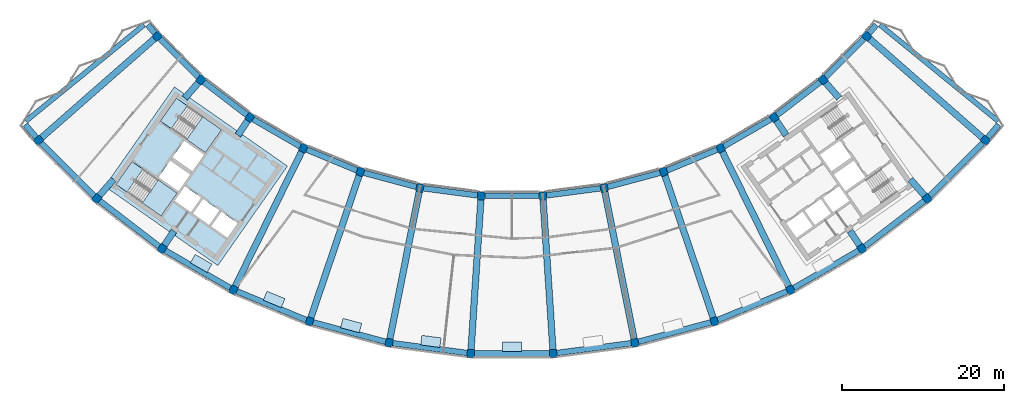
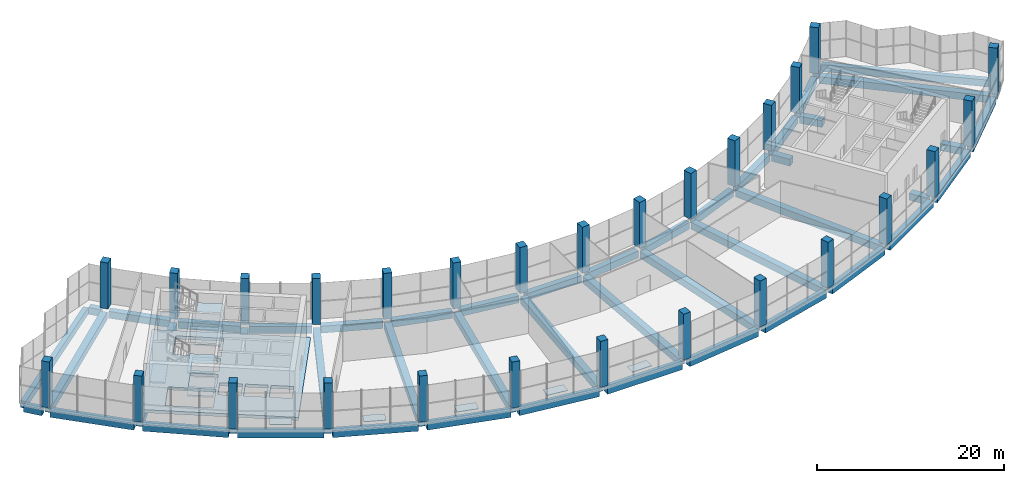
# One storey, part 1 of 41: 50 beams, 28 columns, 7 slabs, 5 plates, 2 elements without a shape of their own.
"""IFC4 building model written with IfcOpenShell, lengths in metres."""

from ifc_helpers import new_model, si_unit, direction, frame, origin, origin_2d, place, context, subcontext, project, spatial, polyline, rectangle, outline, extrude, material, layer, layer_set, material_profile, profile_set, type_object, element, aggregate, save


model = new_model("IFC4")

# Units and contexts
model_context = context("Model", 3, precision=1e-05, world=origin(), true_north=direction((0.0, 1.0)))
body_context = subcontext(model_context, "Body", "Model", "MODEL_VIEW")
ifc_project = project(units=[si_unit("LENGTHUNIT", "METRE"), si_unit("AREAUNIT", "SQUARE_METRE"), si_unit("VOLUMEUNIT", "CUBIC_METRE"), si_unit("PLANEANGLEUNIT", "RADIAN"), si_unit("MASSUNIT", "GRAM", prefix="KILO")], contexts=[model_context])

# Site, building, storey
site_placement = place(None, origin())
site = spatial("IfcSite", under=ifc_project, at=site_placement, CompositionType="ELEMENT")
building_placement = place(site_placement, origin())
building = spatial("IfcBuilding", under=site, at=building_placement, Name="Qamariyya Broadcast Tower", CompositionType="ELEMENT")
storey_placement = place(building_placement, frame((0.0, 0.0, 284.699951171875)))
storey = spatial("IfcBuildingStorey", under=building, at=storey_placement, Name="L69", CompositionType="ELEMENT", Elevation=284.699951171875)

# Columns
ifc_material_1 = material(Name="Concrete C50/60", Category="concrete")
ifc_material_profile_1 = material_profile(ifc_material_1, rectangle(XDim=0.89990234375, YDim=1.0, at=origin_2d()))
ifc_profile_set_1 = profile_set([ifc_material_profile_1], Name="Concrete C50/60")
column_type = type_object("IfcColumnType", Name="RC column 900 x 1000 C50/60", PredefinedType="COLUMN", material=ifc_profile_set_1)
for number, where, z_axis, x_axis, name in (
    (1, (-43.794677734375, -38.406982421875, 0.0), (0.0, 0.0, 1.0), (0.6593458151, -0.751839807479, 0.0), "Column C12 L69 B-R04"),
    (2, (-58.45556640625, -51.26416015625, 0.0), (0.0, 0.0, 1.0), (0.6593458151, -0.751839807479, 0.0), "Column C12 L69 C-R04"),
    (3, (-38.406982421875, -43.794677734375, 0.0), (0.0, 0.0, 1.0), (0.751839807479, -0.6593458151, 0.0), "Column C12 L69 B-R05"),
    (4, (-51.26416015625, -58.45556640625, 0.0), (0.0, 0.0, 1.0), (0.751839807479, -0.6593458151, 0.0), "Column C12 L69 C-R05"),
    (5, (-32.362060546875, -48.43310546875, 0.0), (0.0, 0.0, 1.0), (0.831469612303, -0.55557023302, 0.0), "Column C12 L69 B-R06"),
    (6, (-43.195556640625, -64.646728515625, 0.0), (0.0, 0.0, 1.0), (0.831469612303, -0.55557023302, 0.0), "Column C12 L69 C-R06"),
    (7, (-25.763427734375, -52.242919921875, 0.0), (0.0, 0.0, 1.0), (0.896872741533, -0.442288690219, 0.0), "Column C12 L69 B-R07"),
    (8, (-34.387939453125, -69.73193359375, 0.0), (0.0, 0.0, 1.0), (0.896872741533, -0.442288690219, 0.0), "Column C12 L69 C-R07"),
    (9, (-18.723876953125, -55.15869140625, 0.0), (0.0, 0.0, 1.0), (0.946930129495, -0.321439465303, 0.0), "Column C12 L69 B-R08"),
    (10, (-24.991943359375, -73.623779296875, 0.0), (0.0, 0.0, 1.0), (0.946930129495, -0.321439465303, 0.0), "Column C12 L69 C-R08"),
    (11, (-11.364013671875, -57.130859375, 0.0), (0.0, 0.0, 1.0), (0.980785280403, -0.195090322016, 0.0), "Column C12 L69 B-R09"),
    (12, (-15.168212890625, -76.256103515625, 0.0), (0.0, 0.0, 1.0), (0.980785280403, -0.195090322016, 0.0), "Column C12 L69 C-R09"),
    (13, (-3.809814453125, -58.125244140625, 0.0), (0.0, 0.0, 1.0), (0.997858923239, -0.06540312923, 0.0), "Column C12 L69 B-R10"),
    (14, (-5.085205078125, -77.58349609375, 0.0), (0.0, 0.0, 1.0), (0.997858923239, -0.06540312923, 0.0), "Column C12 L69 C-R10"),
    (15, (3.809814453125, -58.125244140625, 0.0), (0.0, 0.0, 1.0), (0.997858923239, 0.06540312923, 0.0), "Column C12 L69 B-R11"),
    (16, (5.085205078125, -77.58349609375, 0.0), (0.0, 0.0, 1.0), (0.997858923239, 0.06540312923, 0.0), "Column C12 L69 C-R11"),
    (17, (11.364013671875, -57.130859375, 0.0), (0.0, 0.0, 1.0), (0.980785280403, 0.195090322016, 0.0), "Column C12 L69 B-R12"),
    (18, (15.168212890625, -76.256103515625, 0.0), (0.0, 0.0, 1.0), (0.980785280403, 0.195090322016, 0.0), "Column C12 L69 C-R12"),
    (19, (18.723876953125, -55.15869140625, 0.0), (0.0, 0.0, 1.0), (0.946930129495, 0.321439465303, 0.0), "Column C12 L69 B-R13"),
    (20, (24.991943359375, -73.623779296875, 0.0), (0.0, 0.0, 1.0), (0.946930129495, 0.321439465303, 0.0), "Column C12 L69 C-R13"),
    (21, (25.763427734375, -52.242919921875, 0.0), (0.0, 0.0, 1.0), (0.896872741533, 0.442288690219, 0.0), "Column C12 L69 B-R14"),
    (22, (34.387939453125, -69.73193359375, 0.0), (0.0, 0.0, 1.0), (0.896872741533, 0.442288690219, 0.0), "Column C12 L69 C-R14"),
    (23, (32.362060546875, -48.43310546875, 0.0), (0.0, 0.0, 1.0), (0.831469612303, 0.55557023302, 0.0), "Column C12 L69 B-R15"),
    (24, (43.195556640625, -64.646728515625, 0.0), (0.0, 0.0, 1.0), (0.831469612303, 0.55557023302, 0.0), "Column C12 L69 C-R15"),
    (25, (38.406982421875, -43.794677734375, 0.0), (0.0, 0.0, 1.0), (0.751839807479, 0.6593458151, 0.0), "Column C12 L69 B-R16"),
    (26, (51.26416015625, -58.45556640625, 0.0), (0.0, 0.0, 1.0), (0.751839807479, 0.6593458151, 0.0), "Column C12 L69 C-R16"),
    (27, (43.794677734375, -38.406982421875, 0.0), (0.0, 0.0, 1.0), (0.6593458151, 0.751839807479, 0.0), "Column C12 L69 B-R17"),
    (28, (58.45556640625, -51.26416015625, 0.0), (0.0, 0.0, 1.0), (0.6593458151, 0.751839807479, 0.0), "Column C12 L69 C-R17"),
):
    element("IfcColumn", number, at=place(storey_placement, frame(where, z_axis=z_axis, x_axis=x_axis)), inside=storey, type_object=column_type, Name=name, PredefinedType="COLUMN", context=body_context, shape_type="SweptSolid", body=[
        extrude(rectangle(XDim=0.89990234375, YDim=1.0, at=origin_2d()), origin(), (0.0, 0.0, 1.0), 6.0),
    ])

# Beams
ifc_material_2 = material(Name="Concrete C40/50", Category="concrete")
ifc_material_profile_2 = material_profile(ifc_material_2, rectangle(XDim=0.699951171875, YDim=0.89990234375, at=origin_2d()))
ifc_profile_set_2 = profile_set([ifc_material_profile_2], Name="Concrete C40/50")
beam_type_1 = type_object("IfcBeamType", Name="RC edge beam 700 x 900 C40/50", PredefinedType="SPANDREL", material=ifc_profile_set_2)
for number, where, z_axis, x_axis, name in (
    (29, (-43.475830078125, -38.725830078125, -0.849853515625), (0.707106781187, -0.707106781187, 0.0), (0.707106781187, 0.707106781187, 0.0), "Edge beam B28 L69 B R04-R05"),
    (30, (-38.049072265625, -44.069091796875, -0.849853515625), (0.793335450892, -0.608784742219, 0.0), (0.608784742219, 0.793335450892, 0.0), "Edge beam B28 L69 B R05-R06"),
    (31, (-31.971435546875, -48.65869140625, -0.849853515625), (0.866036098112, -0.499981476425, 0.0), (0.499981476425, 0.866036098112, 0.0), "Edge beam B28 L69 B R06-R07"),
    (32, (-25.3466796875, -52.41552734375, -0.849853515625), (0.923888821942, -0.382661004926, 0.0), (0.382661004926, 0.923888821942, 0.0), "Edge beam B28 L69 B R07-R08"),
    (33, (-18.288330078125, -55.275390625, -0.849853515625), (0.965930856343, -0.258800271955, 0.0), (0.258800271955, 0.965930856343, 0.0), "Edge beam B28 L69 B R08-R09"),
    (34, (-10.9169921875, -57.189697265625, -0.849853515625), (0.991447119382, -0.130509039798, 0.0), (0.130509039798, 0.991447119382, 0.0), "Edge beam B28 L69 B R09-R10"),
):
    element("IfcBeam", number, at=place(storey_placement, frame(where, z_axis=z_axis, x_axis=x_axis)), inside=storey, type_object=beam_type_1, Name=name, PredefinedType="SPANDREL", context=body_context, shape_type="SweptSolid", body=[
        extrude(rectangle(XDim=0.699951171875, YDim=0.89990234375, at=origin_2d()), origin(), (0.0, 0.0, 1.0), 6.717529296875),
    ])
beam_1_placement = place(storey_placement, frame((-3.35888671875, -58.125244140625, -0.849853515625), z_axis=(1.0, 0.0, 0.0), x_axis=(0.0, 1.0, 0.0)))
element("IfcBeam", 35, at=beam_1_placement, inside=storey, type_object=beam_type_1, Name="Edge beam B28 L69 B R10-R11", PredefinedType="SPANDREL", context=body_context, shape_type="SweptSolid", body=[
    extrude(rectangle(XDim=0.699951171875, YDim=0.89990234375, at=origin_2d()), origin(), (0.0, 0.0, 1.0), 6.7177734375),
])
for number, where, z_axis, x_axis, name in (
    (36, (4.2568359375, -58.06640625, -0.849853515625), (0.991447119382, 0.130509039798, 0.0), (-0.130509039798, 0.991447119382, 0.0), "Edge beam B28 L69 B R11-R12"),
    (37, (11.799560546875, -57.013916015625, -0.849853515625), (0.965930856343, 0.258800271955, 0.0), (-0.258800271955, 0.965930856343, 0.0), "Edge beam B28 L69 B R12-R13"),
    (38, (19.140380859375, -54.986083984375, -0.849853515625), (0.923888821942, 0.382661004926, 0.0), (-0.382661004926, 0.923888821942, 0.0), "Edge beam B28 L69 B R13-R14"),
    (39, (26.15380859375, -52.017333984375, -0.849853515625), (0.866036098112, 0.499981476425, 0.0), (-0.499981476425, 0.866036098112, 0.0), "Edge beam B28 L69 B R14-R15"),
    (40, (32.7197265625, -48.15869140625, -0.849853515625), (0.793335450892, 0.608784742219, 0.0), (-0.608784742219, 0.793335450892, 0.0), "Edge beam B28 L69 B R15-R16"),
    (41, (38.725830078125, -43.475830078125, -0.849853515625), (0.707106781187, 0.707106781187, 0.0), (-0.707106781187, 0.707106781187, 0.0), "Edge beam B28 L69 B R16-R17"),
):
    element("IfcBeam", number, at=place(storey_placement, frame(where, z_axis=z_axis, x_axis=x_axis)), inside=storey, type_object=beam_type_1, Name=name, PredefinedType="SPANDREL", context=body_context, shape_type="SweptSolid", body=[
        extrude(rectangle(XDim=0.699951171875, YDim=0.89990234375, at=origin_2d()), origin(), (0.0, 0.0, 1.0), 6.717529296875),
    ])
for number, where, z_axis, x_axis, name in (
    (42, (-58.13671875, -51.5830078125, -0.849853515625), (0.707106781187, -0.707106781187, 0.0), (0.707106781187, 0.707106781187, 0.0), "Edge beam B28 L69 C R04-R05"),
    (43, (-50.90625, -58.72998046875, -0.849853515625), (0.793335362304, -0.608784857662, 0.0), (0.608784857662, 0.793335362304, 0.0), "Edge beam B28 L69 C R05-R06"),
):
    element("IfcBeam", number, at=place(storey_placement, frame(where, z_axis=z_axis, x_axis=x_axis)), inside=storey, type_object=beam_type_1, Name=name, PredefinedType="SPANDREL", context=body_context, shape_type="SweptSolid", body=[
        extrude(rectangle(XDim=0.699951171875, YDim=0.89990234375, at=origin_2d()), origin(), (0.0, 0.0, 1.0), 9.268310546875),
    ])
for number, where, z_axis, x_axis, name in (
    (44, (-42.804931640625, -64.872314453125, -0.849853515625), (0.866025032501, -0.50000064308, 0.0), (0.50000064308, 0.866025032501, 0.0), "Edge beam B28 L69 C R06-R07"),
    (45, (-33.97119140625, -69.904541015625, -0.849853515625), (0.923886165939, -0.382667417461, 0.0), (0.382667417461, 0.923886165939, 0.0), "Edge beam B28 L69 C R07-R08"),
):
    element("IfcBeam", number, at=place(storey_placement, frame(where, z_axis=z_axis, x_axis=x_axis)), inside=storey, type_object=beam_type_1, Name=name, PredefinedType="SPANDREL", context=body_context, shape_type="SweptSolid", body=[
        extrude(rectangle(XDim=0.699951171875, YDim=0.89990234375, at=origin_2d()), origin(), (0.0, 0.0, 1.0), 9.26806640625),
    ])
beam_2_placement = place(storey_placement, frame((-24.556396484375, -73.740478515625, -0.849853515625), z_axis=(0.965923830183, -0.258826494556, 0.0), x_axis=(0.258826494556, 0.965923830183, 0.0)))
element("IfcBeam", 46, at=beam_2_placement, inside=storey, type_object=beam_type_1, Name="Edge beam B28 L69 C R08-R09", PredefinedType="SPANDREL", context=body_context, shape_type="SweptSolid", body=[
    extrude(rectangle(XDim=0.699951171875, YDim=0.89990234375, at=origin_2d()), origin(), (0.0, 0.0, 1.0), 9.2685546875),
])
beam_3_placement = place(storey_placement, frame((-14.72119140625, -76.31494140625, -0.849853515625), z_axis=(0.991445327372, -0.130522652562, 0.0), x_axis=(0.130522652562, 0.991445327372, 0.0)))
element("IfcBeam", 47, at=beam_3_placement, inside=storey, type_object=beam_type_1, Name="Edge beam B28 L69 C R09-R10", PredefinedType="SPANDREL", context=body_context, shape_type="SweptSolid", body=[
    extrude(rectangle(XDim=0.699951171875, YDim=0.89990234375, at=origin_2d()), origin(), (0.0, 0.0, 1.0), 9.268310546875),
])
beam_4_placement = place(storey_placement, frame((-4.634033203125, -77.58349609375, -0.849853515625), z_axis=(1.0, 0.0, 0.0), x_axis=(0.0, 1.0, 0.0)))
element("IfcBeam", 48, at=beam_4_placement, inside=storey, type_object=beam_type_1, Name="Edge beam B28 L69 C R10-R11", PredefinedType="SPANDREL", context=body_context, shape_type="SweptSolid", body=[
    extrude(rectangle(XDim=0.699951171875, YDim=0.89990234375, at=origin_2d()), origin(), (0.0, 0.0, 1.0), 9.26806640625),
])
beam_5_placement = place(storey_placement, frame((5.5322265625, -77.524658203125, -0.849853515625), z_axis=(0.991445327372, 0.130522652562, 0.0), x_axis=(-0.130522652562, 0.991445327372, 0.0)))
element("IfcBeam", 49, at=beam_5_placement, inside=storey, type_object=beam_type_1, Name="Edge beam B28 L69 C R11-R12", PredefinedType="SPANDREL", context=body_context, shape_type="SweptSolid", body=[
    extrude(rectangle(XDim=0.699951171875, YDim=0.89990234375, at=origin_2d()), origin(), (0.0, 0.0, 1.0), 9.268310546875),
])
beam_6_placement = place(storey_placement, frame((15.603759765625, -76.139404296875, -0.849853515625), z_axis=(0.965923830183, 0.258826494556, 0.0), x_axis=(-0.258826494556, 0.965923830183, 0.0)))
element("IfcBeam", 50, at=beam_6_placement, inside=storey, type_object=beam_type_1, Name="Edge beam B28 L69 C R12-R13", PredefinedType="SPANDREL", context=body_context, shape_type="SweptSolid", body=[
    extrude(rectangle(XDim=0.699951171875, YDim=0.89990234375, at=origin_2d()), origin(), (0.0, 0.0, 1.0), 9.2685546875),
])
for number, where, z_axis, x_axis, name in (
    (51, (25.408447265625, -73.451171875, -0.849853515625), (0.923886165939, 0.382667417461, 0.0), (-0.382667417461, 0.923886165939, 0.0), "Edge beam B28 L69 C R13-R14"),
    (52, (34.778564453125, -69.50634765625, -0.849853515625), (0.866025032501, 0.50000064308, 0.0), (-0.50000064308, 0.866025032501, 0.0), "Edge beam B28 L69 C R14-R15"),
):
    element("IfcBeam", number, at=place(storey_placement, frame(where, z_axis=z_axis, x_axis=x_axis)), inside=storey, type_object=beam_type_1, Name=name, PredefinedType="SPANDREL", context=body_context, shape_type="SweptSolid", body=[
        extrude(rectangle(XDim=0.699951171875, YDim=0.89990234375, at=origin_2d()), origin(), (0.0, 0.0, 1.0), 9.26806640625),
    ])
for number, where, z_axis, x_axis, name in (
    (53, (43.553466796875, -64.372314453125, -0.849853515625), (0.793335362304, 0.608784857662, 0.0), (-0.608784857662, 0.793335362304, 0.0), "Edge beam B28 L69 C R15-R16"),
    (54, (51.5830078125, -58.13671875, -0.849853515625), (0.707106781187, 0.707106781187, 0.0), (-0.707106781187, 0.707106781187, 0.0), "Edge beam B28 L69 C R16-R17"),
):
    element("IfcBeam", number, at=place(storey_placement, frame(where, z_axis=z_axis, x_axis=x_axis)), inside=storey, type_object=beam_type_1, Name=name, PredefinedType="SPANDREL", context=body_context, shape_type="SweptSolid", body=[
        extrude(rectangle(XDim=0.699951171875, YDim=0.89990234375, at=origin_2d()), origin(), (0.0, 0.0, 1.0), 9.268310546875),
    ])
ifc_material_profile_3 = material_profile(ifc_material_2, rectangle(XDim=0.699951171875, YDim=0.89990234375, at=origin_2d()))
ifc_profile_set_3 = profile_set([ifc_material_profile_3], Name="Concrete C40/50")
beam_type_2 = type_object("IfcBeamType", Name="RC horn beam 700 x 900 C40/50", PredefinedType="BEAM", material=ifc_profile_set_3)
beam_7_placement = place(storey_placement, frame((-44.085205078125, -38.063232421875, -0.849853515625), z_axis=(-0.645622475377, 0.763656741795, 0.0), x_axis=(-0.763656741795, -0.645622475377, 0.0)))
element("IfcBeam", 55, at=beam_7_placement, inside=storey, type_object=beam_type_2, Name="Horn beam B29 L69 W B-R04", PredefinedType="BEAM", context=body_context, shape_type="SweptSolid", body=[
    extrude(rectangle(XDim=0.699951171875, YDim=0.89990234375, at=origin_2d()), origin(), (0.0, 0.0, 1.0), 1.369384765625),
])
beam_8_placement = place(storey_placement, frame((-58.74609375, -50.92041015625, -0.849853515625), z_axis=(-0.645563116795, 0.763706921688, 0.0), x_axis=(-0.763706921688, -0.645563116795, 0.0)))
element("IfcBeam", 56, at=beam_8_placement, inside=storey, type_object=beam_type_2, Name="Horn beam B29 L69 W C-R04", PredefinedType="BEAM", context=body_context, shape_type="SweptSolid", body=[
    extrude(rectangle(XDim=0.699951171875, YDim=0.89990234375, at=origin_2d()), origin(), (0.0, 0.0, 1.0), 2.078857421875),
])
beam_9_placement = place(storey_placement, frame((44.085205078125, -38.063232421875, -0.849853515625), z_axis=(0.645622475377, 0.763656741795, 0.0), x_axis=(-0.763656741795, 0.645622475377, 0.0)))
element("IfcBeam", 57, at=beam_9_placement, inside=storey, type_object=beam_type_2, Name="Horn beam B29 L69 E B-R17", PredefinedType="BEAM", context=body_context, shape_type="SweptSolid", body=[
    extrude(rectangle(XDim=0.699951171875, YDim=0.89990234375, at=origin_2d()), origin(), (0.0, 0.0, 1.0), 1.369384765625),
])
beam_10_placement = place(storey_placement, frame((58.74609375, -50.92041015625, -0.849853515625), z_axis=(0.645563116795, 0.763706921688, 0.0), x_axis=(-0.763706921688, 0.645563116795, 0.0)))
element("IfcBeam", 58, at=beam_10_placement, inside=storey, type_object=beam_type_2, Name="Horn beam B29 L69 E C-R17", PredefinedType="BEAM", context=body_context, shape_type="SweptSolid", body=[
    extrude(rectangle(XDim=0.699951171875, YDim=0.89990234375, at=origin_2d()), origin(), (0.0, 0.0, 1.0), 2.078857421875),
])
ifc_material_profile_4 = material_profile(ifc_material_2, rectangle(XDim=0.60009765625, YDim=0.89990234375, at=origin_2d()))
ifc_profile_set_4 = profile_set([ifc_material_profile_4], Name="Concrete C40/50")
beam_type_3 = type_object("IfcBeamType", Name="RC horn cap beam 600 x 900 C40/50", PredefinedType="BEAM", material=ifc_profile_set_4)
for number, where, z_axis, x_axis, name in (
    (59, (-45.43408203125, -37.00927734375, -0.849853515625), (-0.775322123115, -0.631565994499, 0.0), (0.631565994499, -0.775322123115, 0.0), "Horn cap beam B30 L69 W B-C"),
    (60, (45.43408203125, -37.00927734375, -0.849853515625), (0.775322123115, -0.631565994499, 0.0), (0.631565994499, 0.775322123115, 0.0), "Horn cap beam B30 L69 E B-C"),
):
    element("IfcBeam", number, at=place(storey_placement, frame(where, z_axis=z_axis, x_axis=x_axis)), inside=storey, type_object=beam_type_3, Name=name, PredefinedType="BEAM", context=body_context, shape_type="SweptSolid", body=[
        extrude(rectangle(XDim=0.60009765625, YDim=0.89990234375, at=origin_2d()), origin(), (0.0, 0.0, 1.0), 18.800048828125),
    ])
ifc_material_profile_5 = material_profile(ifc_material_2, rectangle(XDim=0.800048828125, YDim=0.89990234375, at=origin_2d()))
ifc_profile_set_5 = profile_set([ifc_material_profile_5], Name="Concrete C40/50")
beam_type_4 = type_object("IfcBeamType", Name="RC radial beam 800 x 900 C40/50", PredefinedType="BEAM", material=ifc_profile_set_5)
beam_11_placement = place(storey_placement, frame((-44.170654296875, -38.736572265625, -0.849853515625), z_axis=(-0.751834744467, -0.659351588314, 0.0), x_axis=(0.659351588314, -0.751834744467, 0.0)))
element("IfcBeam", 61, at=beam_11_placement, inside=storey, type_object=beam_type_4, Name="Radial beam B27 L69 R04 B-C", PredefinedType="BEAM", context=body_context, shape_type="SweptSolid", body=[
    extrude(rectangle(XDim=0.800048828125, YDim=0.89990234375, at=origin_2d()), origin(), (0.0, 0.0, 1.0), 18.5),
])
beam_12_placement = place(storey_placement, frame((-38.736572265625, -44.170654296875, -0.849853515625), z_axis=(-0.659370418704, -0.751818229986, 0.0), x_axis=(0.751818229986, -0.659370418704, 0.0)))
element("IfcBeam", 62, at=beam_12_placement, inside=storey, type_object=beam_type_4, Name="Radial beam B27 L69 R05 B-C", PredefinedType="BEAM", context=body_context, shape_type="SweptSolid", body=[
    extrude(rectangle(XDim=0.800048828125, YDim=0.89990234375, at=origin_2d()), origin(), (0.0, 0.0, 1.0), 2.51416015625),
])
beam_13_placement = place(storey_placement, frame((-49.1943359375, -56.095458984375, -0.849853515625), z_axis=(-0.659388288985, -0.751802556759, 0.0), x_axis=(0.751802556759, -0.659388288985, 0.0)))
element("IfcBeam", 63, at=beam_13_placement, inside=storey, type_object=beam_type_4, Name="Radial beam B27 L69 R05 B-C", PredefinedType="BEAM", context=body_context, shape_type="SweptSolid", body=[
    extrude(rectangle(XDim=0.800048828125, YDim=0.89990234375, at=origin_2d()), origin(), (0.0, 0.0, 1.0), 2.63916015625),
])
beam_14_placement = place(storey_placement, frame((-32.6396484375, -48.848876953125, -0.849853515625), z_axis=(-0.555636925355, -0.83142504604, 0.0), x_axis=(0.83142504604, -0.555636925355, 0.0)))
element("IfcBeam", 64, at=beam_14_placement, inside=storey, type_object=beam_type_4, Name="Radial beam B27 L69 R06 B-C", PredefinedType="BEAM", context=body_context, shape_type="SweptSolid", body=[
    extrude(rectangle(XDim=0.800048828125, YDim=0.89990234375, at=origin_2d()), origin(), (0.0, 0.0, 1.0), 2.16455078125),
])
beam_15_placement = place(storey_placement, frame((-41.733154296875, -62.458251953125, -0.849853515625), z_axis=(-0.555598329138, -0.83145083839, 0.0), x_axis=(0.83145083839, -0.555598329138, 0.0)))
element("IfcBeam", 65, at=beam_15_placement, inside=storey, type_object=beam_type_4, Name="Radial beam B27 L69 R06 B-C", PredefinedType="BEAM", context=body_context, shape_type="SweptSolid", body=[
    extrude(rectangle(XDim=0.800048828125, YDim=0.89990234375, at=origin_2d()), origin(), (0.0, 0.0, 1.0), 2.132080078125),
])
for number, where, z_axis, x_axis, name in (
    (66, (-25.984375, -52.691162109375, -0.849853515625), (-0.442287103846, -0.896873523843, 0.0), (0.896873523843, -0.442287103846, 0.0), "Radial beam B27 L69 R07 B-C"),
    (67, (-18.884521484375, -55.632080078125, -0.849853515625), (-0.321444904473, -0.946928283128, 0.0), (0.946928283128, -0.321444904473, 0.0), "Radial beam B27 L69 R08 B-C"),
):
    element("IfcBeam", number, at=place(storey_placement, frame(where, z_axis=z_axis, x_axis=x_axis)), inside=storey, type_object=beam_type_4, Name=name, PredefinedType="BEAM", context=body_context, shape_type="SweptSolid", body=[
        extrude(rectangle(XDim=0.800048828125, YDim=0.89990234375, at=origin_2d()), origin(), (0.0, 0.0, 1.0), 18.500244140625),
    ])
for number, where, z_axis, x_axis, name in (
    (68, (-11.461669921875, -57.62109375, -0.849853515625), (-0.195088200207, -0.980785702455, 0.0), (0.980785702455, -0.195088200207, 0.0), "Radial beam B27 L69 R09 B-C"),
    (69, (-3.842529296875, -58.624267578125, -0.849853515625), (-0.065403084588, -0.997858926165, 0.0), (0.997858926165, -0.065403084588, 0.0), "Radial beam B27 L69 R10 B-C"),
    (70, (3.842529296875, -58.624267578125, -0.849853515625), (0.065403084588, -0.997858926165, 0.0), (0.997858926165, 0.065403084588, 0.0), "Radial beam B27 L69 R11 B-C"),
    (71, (11.461669921875, -57.62109375, -0.849853515625), (0.195088200207, -0.980785702455, 0.0), (0.980785702455, 0.195088200207, 0.0), "Radial beam B27 L69 R12 B-C"),
):
    element("IfcBeam", number, at=place(storey_placement, frame(where, z_axis=z_axis, x_axis=x_axis)), inside=storey, type_object=beam_type_4, Name=name, PredefinedType="BEAM", context=body_context, shape_type="SweptSolid", body=[
        extrude(rectangle(XDim=0.800048828125, YDim=0.89990234375, at=origin_2d()), origin(), (0.0, 0.0, 1.0), 18.5),
    ])
for number, where, z_axis, x_axis, name in (
    (72, (18.884521484375, -55.632080078125, -0.849853515625), (0.321444904473, -0.946928283128, 0.0), (0.946928283128, 0.321444904473, 0.0), "Radial beam B27 L69 R13 B-C"),
    (73, (25.984375, -52.691162109375, -0.849853515625), (0.442287103846, -0.896873523843, 0.0), (0.896873523843, 0.442287103846, 0.0), "Radial beam B27 L69 R14 B-C"),
):
    element("IfcBeam", number, at=place(storey_placement, frame(where, z_axis=z_axis, x_axis=x_axis)), inside=storey, type_object=beam_type_4, Name=name, PredefinedType="BEAM", context=body_context, shape_type="SweptSolid", body=[
        extrude(rectangle(XDim=0.800048828125, YDim=0.89990234375, at=origin_2d()), origin(), (0.0, 0.0, 1.0), 18.500244140625),
    ])
beam_16_placement = place(storey_placement, frame((32.6396484375, -48.848876953125, -0.849853515625), z_axis=(0.555636925355, -0.83142504604, 0.0), x_axis=(0.83142504604, 0.555636925355, 0.0)))
element("IfcBeam", 74, at=beam_16_placement, inside=storey, type_object=beam_type_4, Name="Radial beam B27 L69 R15 B-C", PredefinedType="BEAM", context=body_context, shape_type="SweptSolid", body=[
    extrude(rectangle(XDim=0.800048828125, YDim=0.89990234375, at=origin_2d()), origin(), (0.0, 0.0, 1.0), 2.16455078125),
])
beam_17_placement = place(storey_placement, frame((41.733154296875, -62.458251953125, -0.849853515625), z_axis=(0.555598329138, -0.83145083839, 0.0), x_axis=(0.83145083839, 0.555598329138, 0.0)))
element("IfcBeam", 75, at=beam_17_placement, inside=storey, type_object=beam_type_4, Name="Radial beam B27 L69 R15 B-C", PredefinedType="BEAM", context=body_context, shape_type="SweptSolid", body=[
    extrude(rectangle(XDim=0.800048828125, YDim=0.89990234375, at=origin_2d()), origin(), (0.0, 0.0, 1.0), 2.132080078125),
])
beam_18_placement = place(storey_placement, frame((38.736572265625, -44.170654296875, -0.849853515625), z_axis=(0.659370418704, -0.751818229986, 0.0), x_axis=(0.751818229986, 0.659370418704, 0.0)))
element("IfcBeam", 76, at=beam_18_placement, inside=storey, type_object=beam_type_4, Name="Radial beam B27 L69 R16 B-C", PredefinedType="BEAM", context=body_context, shape_type="SweptSolid", body=[
    extrude(rectangle(XDim=0.800048828125, YDim=0.89990234375, at=origin_2d()), origin(), (0.0, 0.0, 1.0), 2.51416015625),
])
beam_19_placement = place(storey_placement, frame((49.1943359375, -56.095458984375, -0.849853515625), z_axis=(0.659388288985, -0.751802556759, 0.0), x_axis=(0.751802556759, 0.659388288985, 0.0)))
element("IfcBeam", 77, at=beam_19_placement, inside=storey, type_object=beam_type_4, Name="Radial beam B27 L69 R16 B-C", PredefinedType="BEAM", context=body_context, shape_type="SweptSolid", body=[
    extrude(rectangle(XDim=0.800048828125, YDim=0.89990234375, at=origin_2d()), origin(), (0.0, 0.0, 1.0), 2.63916015625),
])
beam_20_placement = place(storey_placement, frame((44.170654296875, -38.736572265625, -0.849853515625), z_axis=(0.751834744467, -0.659351588314, 0.0), x_axis=(0.659351588314, 0.751834744467, 0.0)))
element("IfcBeam", 78, at=beam_20_placement, inside=storey, type_object=beam_type_4, Name="Radial beam B27 L69 R17 B-C", PredefinedType="BEAM", context=body_context, shape_type="SweptSolid", body=[
    extrude(rectangle(XDim=0.800048828125, YDim=0.89990234375, at=origin_2d()), origin(), (0.0, 0.0, 1.0), 18.5),
])

# Slab
ifc_layer_1 = layer(ifc_material_2, 0.39990234375)
ifc_layer_set_1 = layer_set([ifc_layer_1], Name="Core floor slab 400 mm Concrete C40/50")
slab_type_1 = type_object("IfcSlabType", Name="Core floor slab 400 mm Concrete C40/50", PredefinedType="FLOOR", material=ifc_layer_set_1)
slab_1_placement = place(storey_placement, frame((0.0, 0.0, -0.39990234375)))
element("IfcSlab", 79, at=slab_1_placement, inside=storey, type_object=slab_type_1, Name="k-W-L69-slab", PredefinedType="FLOOR", context=body_context, shape_type="SweptSolid", body=[
    extrude(outline(polyline([(-50.286376953125, -56.95751953125), (-36.32373046875, -66.734375), (-27.719970703125, -54.447021484375), (-41.6826171875, -44.67041015625), (-50.286376953125, -56.95751953125)]), holes=[polyline([(-33.87353515625, -61.49169921875), (-35.88037109375, -60.08642578125), (-37.142333984375, -61.888427734375), (-35.13525390625, -63.293701171875), (-33.87353515625, -61.49169921875)]), polyline([(-36.126220703125, -59.914306640625), (-38.133056640625, -58.509033203125), (-39.394775390625, -60.311279296875), (-37.387939453125, -61.716552734375), (-36.126220703125, -59.914306640625)]), polyline([(-38.378662109375, -58.3369140625), (-40.3857421875, -56.931640625), (-41.6474609375, -58.73388671875), (-39.640625, -60.13916015625), (-38.378662109375, -58.3369140625)]), polyline([(-39.742431640625, -55.489990234375), (-42.199951171875, -53.769287109375), (-43.6337890625, -55.817138671875), (-41.17626953125, -57.537841796875), (-39.742431640625, -55.489990234375)]), polyline([(-39.45556640625, -55.080322265625), (-41.9130859375, -53.359619140625), (-40.47900390625, -51.311767578125), (-38.021728515625, -53.032470703125), (-39.45556640625, -55.080322265625)]), polyline([(-42.06103515625, -49.837890625), (-37.849609375, -52.78662109375), (-35.870849609375, -49.960693359375), (-40.082275390625, -47.01171875), (-42.06103515625, -49.837890625)]), polyline([(-47.538818359375, -57.66064453125), (-43.3271484375, -60.609619140625), (-41.348388671875, -57.783447265625), (-45.559814453125, -54.834716796875), (-47.538818359375, -57.66064453125)])]), origin(), (0.0, 0.0, 1.0), 0.39990234375),
])

# Stair, slabs
stair_type = type_object("IfcStairType", Name="Exit stair 36 risers of 167 mm", PredefinedType="HALF_TURN_STAIR", material=ifc_material_1)
stair_1_placement = place(storey_placement, origin())
stair_1 = element("IfcStair", 80, at=stair_1_placement, inside=storey, type_object=stair_type, Name="L69 Stair W2", PredefinedType="HALF_TURN_STAIR")
ifc_layer_2 = layer(ifc_material_1, 0.199951171875)
ifc_layer_set_2 = layer_set([ifc_layer_2], Name="Stair landing")
slab_type_2 = type_object("IfcSlabType", Name="Stair landing", PredefinedType="LANDING", material=ifc_layer_set_2)
slab_2_placement = place(storey_placement, frame((0.0, 0.0, 1.300048828125)))
slab_2 = element("IfcSlab", 81, at=slab_2_placement, type_object=slab_type_2, Name="ST-W2 landing 1", PredefinedType="LANDING", context=body_context, shape_type="SweptSolid", body=[
    extrude(outline(polyline([(-40.167236328125, -51.163818359375), (-37.849609375, -52.78662109375), (-35.870849609375, -49.960693359375), (-38.1884765625, -48.337890625), (-40.167236328125, -51.163818359375)])), origin(), (0.0, 0.0, 1.0), 0.199951171875),
])
slab_3_placement = place(storey_placement, frame((0.0, 0.0, 2.800048828125)))
slab_3 = element("IfcSlab", 82, at=slab_3_placement, type_object=slab_type_2, Name="ST-W2 landing 2", PredefinedType="LANDING", context=body_context, shape_type="SweptSolid", body=[
    extrude(outline(polyline([(-43.416015625, -48.88916015625), (-42.06103515625, -49.837890625), (-40.082275390625, -47.01171875), (-41.437255859375, -46.06298828125), (-43.416015625, -48.88916015625)])), origin(), (0.0, 0.0, 1.0), 0.199951171875),
])
slab_4_placement = place(storey_placement, frame((0.0, 0.0, 4.300048828125)))
slab_4 = element("IfcSlab", 83, at=slab_4_placement, type_object=slab_type_2, Name="ST-W2 landing 3", PredefinedType="LANDING", context=body_context, shape_type="SweptSolid", body=[
    extrude(outline(polyline([(-40.167236328125, -51.163818359375), (-37.849609375, -52.78662109375), (-35.870849609375, -49.960693359375), (-38.1884765625, -48.337890625), (-40.167236328125, -51.163818359375)])), origin(), (0.0, 0.0, 1.0), 0.199951171875),
])
aggregate(stair_1, [slab_2, slab_3, slab_4])

stair_2_placement = place(storey_placement, origin())
stair_2 = element("IfcStair", 84, at=stair_2_placement, inside=storey, type_object=stair_type, Name="L69 Stair W1", PredefinedType="HALF_TURN_STAIR")
slab_5_placement = place(storey_placement, frame((0.0, 0.0, 1.300048828125)))
slab_5 = element("IfcSlab", 85, at=slab_5_placement, type_object=slab_type_2, Name="ST-W1 landing 1", PredefinedType="LANDING", context=body_context, shape_type="SweptSolid", body=[
    extrude(outline(polyline([(-45.644775390625, -58.98681640625), (-43.3271484375, -60.609619140625), (-41.348388671875, -57.783447265625), (-43.666015625, -56.16064453125), (-45.644775390625, -58.98681640625)])), origin(), (0.0, 0.0, 1.0), 0.199951171875),
])
slab_6_placement = place(storey_placement, frame((0.0, 0.0, 2.800048828125)))
slab_6 = element("IfcSlab", 86, at=slab_6_placement, type_object=slab_type_2, Name="ST-W1 landing 2", PredefinedType="LANDING", context=body_context, shape_type="SweptSolid", body=[
    extrude(outline(polyline([(-48.8935546875, -56.7119140625), (-47.538818359375, -57.66064453125), (-45.559814453125, -54.834716796875), (-46.914794921875, -53.885986328125), (-48.8935546875, -56.7119140625)])), origin(), (0.0, 0.0, 1.0), 0.199951171875),
])
slab_7_placement = place(storey_placement, frame((0.0, 0.0, 4.300048828125)))
slab_7 = element("IfcSlab", 87, at=slab_7_placement, type_object=slab_type_2, Name="ST-W1 landing 3", PredefinedType="LANDING", context=body_context, shape_type="SweptSolid", body=[
    extrude(outline(polyline([(-45.644775390625, -58.98681640625), (-43.3271484375, -60.609619140625), (-41.348388671875, -57.783447265625), (-43.666015625, -56.16064453125), (-45.644775390625, -58.98681640625)])), origin(), (0.0, 0.0, 1.0), 0.199951171875),
])
aggregate(stair_2, [slab_5, slab_6, slab_7])

# Plates
ifc_material_3 = material(Name="Laminated structural glass", Category="glass")
ifc_layer_3 = layer(ifc_material_3, 0.06005859375)
ifc_layer_set_3 = layer_set([ifc_layer_3], Name="Structural glass floor panel 1200 x 2400")
plate_type = type_object("IfcPlateType", Name="Structural glass floor panel 1200 x 2400", PredefinedType="SHEET", material=ifc_layer_set_3)
for number, where, z_axis, x_axis, name in (
    (88, (-38.375, -66.467529296875, 0.0), (0.0, 0.0, 1.0), (0.866025403784, -0.5, 0.0), "e-pl-L69-gp01"),
    (89, (-29.370849609375, -70.90771484375, 0.0), (0.0, 0.0, 1.0), (0.923879532511, -0.382683432365, 0.0), "e-pl-L69-gp02"),
    (90, (-19.8642578125, -74.134765625, 0.0), (0.0, 0.0, 1.0), (0.965925826289, -0.258819045103, 0.0), "e-pl-L69-gp03"),
    (91, (-10.017822265625, -76.093505859375, 0.0), (0.0, 0.0, 1.0), (0.991444861374, -0.13052619222, 0.0), "e-pl-L69-gp04"),
    (92, (0.0, -76.75, 0.0), (0.0, 0.0, 1.0), (1.0, 0.0, 0.0), "e-pl-L69-gp05"),
):
    element("IfcPlate", number, at=place(storey_placement, frame(where, z_axis=z_axis, x_axis=x_axis)), inside=storey, type_object=plate_type, Name=name, PredefinedType="SHEET", context=body_context, shape_type="SweptSolid", body=[
        extrude(rectangle(XDim=2.39990234375, YDim=1.199951171875, at=origin_2d()), origin(), (0.0, 0.0, 1.0), 0.06005859375),
    ])

save(model, "model.ifc")
